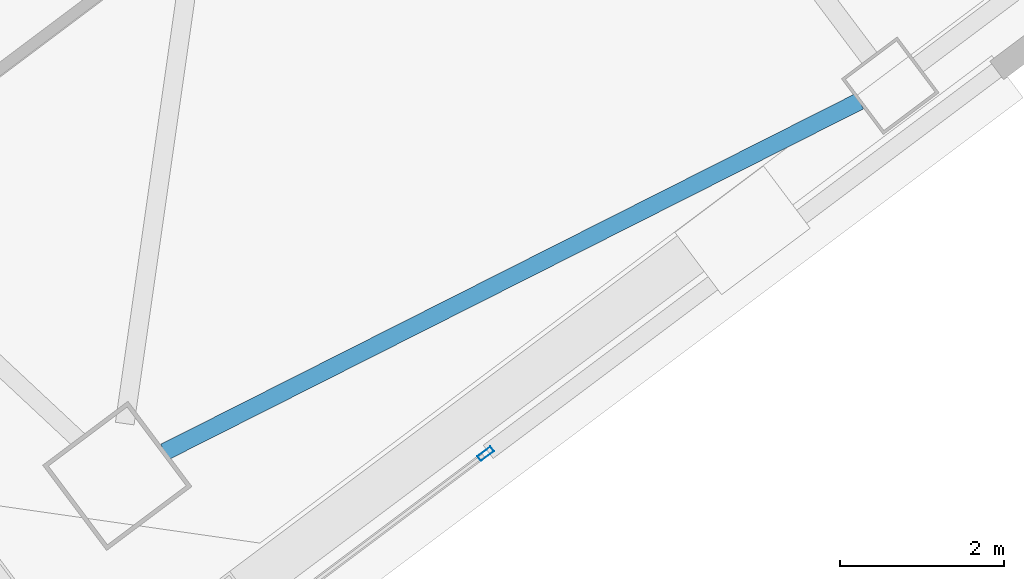
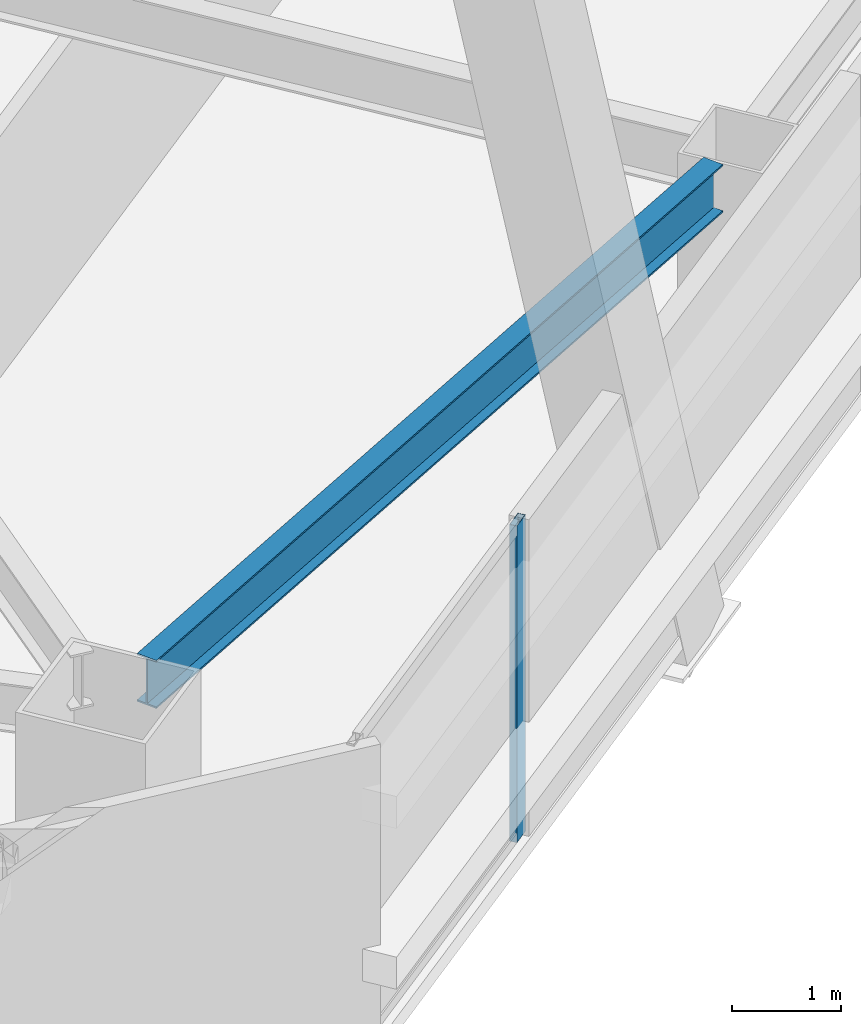
# One storey, part 28 of 54: 1 beam, 1 member, 1 element without a shape of its own.
"""IFC4 building model written with IfcOpenShell, lengths in metres."""

import ifcopenshell
import ifcopenshell.guid

model = None  # the IFC model being written
_history = None  # IfcOwnerHistory: only IFC2X3 demands one
_inside = {}  # id of a spatial element -> (the spatial element, [elements in it])
_under = {}  # id of a project, library or spatial element -> (it, [spatial elements below it])
_declared = {}  # id of a project -> (the project, [libraries it declares])
_typed = {}  # id of a type object -> (the type object, [elements of that type])
_made_of = {}  # id of a material, layer set ... -> (it, [elements and type objects made of it])


def new_model(schema):
    """Start an empty IFC model of exactly this schema.

    Asked for "IFC4X3", IfcOpenShell would pick the latest addendum, in which some entities
    have other attributes; the version numbers below select the first issue.
    IFC2X3 requires an IfcOwnerHistory on every rooted entity: one is made here for all.
    """
    global model, _history
    if schema == "IFC4X3":
        model = ifcopenshell.file(schema_version=(4, 3, 0, 0))
    else:
        model = ifcopenshell.file(schema=schema)
    _inside.clear()
    _under.clear()
    _declared.clear()
    _typed.clear()
    _made_of.clear()
    _history = None
    if model.schema == "IFC2X3":
        org = make("IfcOrganization", Name="unknown")
        user = make(
            "IfcPersonAndOrganization",
            ThePerson=make("IfcPerson", FamilyName="unknown"),
            TheOrganization=org,
        )
        app = make(
            "IfcApplication",
            ApplicationDeveloper=org,
            Version="unknown",
            ApplicationFullName="unknown",
            ApplicationIdentifier="unknown",
        )
        _history = make(
            "IfcOwnerHistory",
            OwningUser=user,
            OwningApplication=app,
            ChangeAction="ADDED",
            CreationDate=0,
        )
    return model


def make(cls, **values):
    """One entity of the class cls with the attributes given. An attribute that is None is left unset."""
    return model.create_entity(
        cls, **{name: value for name, value in values.items() if value is not None}
    )


def rooted(cls, **values):
    """An entity with a GlobalId (a new one), such as an element, a storey or a relation."""
    return make(cls, GlobalId=ifcopenshell.guid.new(), OwnerHistory=_history, **values)


def si_unit(unit_type, name, prefix=None):
    """IfcSIUnit, for example si_unit("LENGTHUNIT", "METRE", prefix="MILLI")."""
    return make("IfcSIUnit", UnitType=unit_type, Prefix=prefix, Name=name)


def assignment(units):
    """IfcUnitAssignment: the units of a project."""
    return None if units is None else make("IfcUnitAssignment", Units=units)


def point(xyz):
    """IfcCartesianPoint."""
    return None if xyz is None else make("IfcCartesianPoint", Coordinates=xyz)


def direction(xyz):
    """IfcDirection."""
    return None if xyz is None else make("IfcDirection", DirectionRatios=xyz)


def frame(location, z_axis=None, x_axis=None):
    """IfcAxis2Placement3D, a coordinate frame: its origin and axes. An axis left out is left unset."""
    return make(
        "IfcAxis2Placement3D",
        Location=point(location),
        Axis=direction(z_axis),
        RefDirection=direction(x_axis),
    )


def frame_2d(location, x_axis=None):
    """IfcAxis2Placement2D, a coordinate frame in the plane: its origin and x axis."""
    return make(
        "IfcAxis2Placement2D", Location=point(location), RefDirection=direction(x_axis)
    )


def origin():
    """The frame at (0, 0, 0) with its axes left unset."""
    return frame((0.0, 0.0, 0.0))


def origin_2d():
    """The frame at (0, 0) in the plane with its x axis left unset."""
    return frame_2d((0.0, 0.0))


def place(relative_to, where):
    """IfcLocalPlacement: puts the frame where relative to a parent placement (None: the world)."""
    return make(
        "IfcLocalPlacement", PlacementRelTo=relative_to, RelativePlacement=where
    )


def context(
    kind, dimensions, precision=None, world=None, true_north=None, identifier=None
):
    """IfcGeometricRepresentationContext, for example the 3D "Model" context."""
    return make(
        "IfcGeometricRepresentationContext",
        ContextIdentifier=identifier,
        ContextType=kind,
        CoordinateSpaceDimension=dimensions,
        Precision=precision,
        WorldCoordinateSystem=world,
        TrueNorth=true_north,
    )


def subcontext(parent, identifier, kind, view, scale=None):
    """IfcGeometricRepresentationSubContext, for example "Body" below "Model"."""
    return make(
        "IfcGeometricRepresentationSubContext",
        ContextIdentifier=identifier,
        ContextType=kind,
        ParentContext=parent,
        TargetScale=scale,
        TargetView=view,
    )


def project(units=None, contexts=None):
    """IfcProject with its units and contexts."""
    return rooted(
        "IfcProject",
        Name="project",
        RepresentationContexts=contexts,
        UnitsInContext=assignment(units),
    )


def spatial(cls, under=None, at=None, **own):
    """A site, building, storey or space (cls), placed at a placement, below another one or the project."""
    s = rooted(cls, ObjectPlacement=at, **own)
    if under is not None:
        _under.setdefault(under.id(), (under, []))[1].append(s)
    return s


def profile(cls, at=None, kind="AREA", **sizes):
    """A parametric profile (cls). Its sizes go by their IFC names, for example OverallWidth=200.0."""
    return make(cls, ProfileType=kind, Position=at, **sizes)


def hollow_rectangle(**sizes):
    """IfcRectangleHollowProfileDef."""
    return profile("IfcRectangleHollowProfileDef", **sizes)


def i_section(**sizes):
    """IfcIShapeProfileDef."""
    return profile("IfcIShapeProfileDef", **sizes)


def extrude(swept, where, along, depth):
    """IfcExtrudedAreaSolid: the profile swept, set in the frame where, extruded along a direction by depth."""
    return make(
        "IfcExtrudedAreaSolid",
        SweptArea=swept,
        Position=where,
        ExtrudedDirection=direction(along),
        Depth=depth,
    )


def shape(context_of_items, identifier, shape_type, items):
    """IfcShapeRepresentation: the items that make up one representation, for example the "Body"."""
    return make(
        "IfcShapeRepresentation",
        ContextOfItems=context_of_items,
        RepresentationIdentifier=identifier,
        RepresentationType=shape_type,
        Items=items,
    )


def material(Name=None, Category=None):
    """IfcMaterial."""
    return make("IfcMaterial", Name=Name, Category=Category)


def material_profile(
    of_material, cross_section, Name=None, Category=None, Priority=None
):
    """IfcMaterialProfile: a cross section and its material."""
    return make(
        "IfcMaterialProfile",
        Name=Name,
        Material=of_material,
        Profile=cross_section,
        Priority=Priority,
        Category=Category,
    )


def profile_set(profiles, Name=None, composite=None):
    """IfcMaterialProfileSet."""
    return make(
        "IfcMaterialProfileSet",
        Name=Name,
        MaterialProfiles=profiles,
        CompositeProfile=composite,
    )


def made_of(thing, what):
    """Note that an element or type object is made of a material, layer set ...; save() writes the relation."""
    if what is not None:
        _made_of.setdefault(what.id(), (what, []))[1].append(thing)
    return thing


def type_object(cls, material=None, **own):
    """A type object (cls), such as IfcWallType, which elements share."""
    return made_of(rooted(cls, **own), material)


def element(
    cls,
    number,
    at=None,
    inside=None,
    cuts=None,
    type_object=None,
    material=None,
    context=None,
    identifier="Body",
    shape_type=None,
    held_by="IfcProductDefinitionShape",
    body=None,
    shapes=None,
    **own,
):
    """One element of the class cls, such as IfcWall. Its Tag is "e" and its number.

    at: its placement. inside: the storey or other place that contains it. cuts: it is an
    opening in that element (IfcRelVoidsElement). A single representation is given by context,
    identifier, shape_type and body (its items); several are given by shapes. held_by: the class
    of the entity that holds the representations. save() writes the other relations.
    """
    e = rooted(cls, Tag="e%d" % number, ObjectPlacement=at, **own)
    if body is not None:
        shapes = [shape(context, identifier, shape_type, body)]
    if shapes is not None:
        e.Representation = make(held_by, Representations=shapes)
    if inside is not None:
        _inside.setdefault(inside.id(), (inside, []))[1].append(e)
    if cuts is not None:
        rooted(
            "IfcRelVoidsElement", RelatingBuildingElement=cuts, RelatedOpeningElement=e
        )
    if type_object is not None:
        _typed.setdefault(type_object.id(), (type_object, []))[1].append(e)
    return made_of(e, material)


def aggregate(whole, parts):
    """IfcRelAggregates: a whole, such as a stair, and the parts it consists of."""
    return rooted("IfcRelAggregates", RelatingObject=whole, RelatedObjects=parts)


def save(model, path):
    """Write the relations noted so far, then the file.

    IfcRelAggregates (storeys below a building ...), IfcRelContainedInSpatialStructure (elements
    in a storey), IfcRelDefinesByType, IfcRelAssociatesMaterial and IfcRelDeclares: one each for
    every whole, place, type object, material and project.
    """
    for whole, parts in _under.values():
        aggregate(whole, parts)
    for where, things in _inside.values():
        rooted(
            "IfcRelContainedInSpatialStructure",
            RelatedElements=things,
            RelatingStructure=where,
        )
    for kind, things in _typed.values():
        rooted("IfcRelDefinesByType", RelatedObjects=things, RelatingType=kind)
    for what, things in _made_of.values():
        rooted("IfcRelAssociatesMaterial", RelatedObjects=things, RelatingMaterial=what)
    for by, libraries in _declared.values():
        rooted("IfcRelDeclares", RelatingContext=by, RelatedDefinitions=libraries)
    model.write(path)


model = new_model("IFC4")

# Units and contexts
model_context = context("Model", 3, precision=1e-05, world=origin(), true_north=direction((0.0, 1.0)))
body_context = subcontext(model_context, "Body", "Model", "MODEL_VIEW")
ifc_project = project(units=[si_unit("LENGTHUNIT", "METRE"), si_unit("AREAUNIT", "SQUARE_METRE"), si_unit("VOLUMEUNIT", "CUBIC_METRE"), si_unit("PLANEANGLEUNIT", "RADIAN"), si_unit("MASSUNIT", "GRAM", prefix="KILO")], contexts=[model_context])

# Site, building, storey
site_placement = place(None, origin())
site = spatial("IfcSite", under=ifc_project, at=site_placement, CompositionType="ELEMENT")
building_placement = place(site_placement, origin())
building = spatial("IfcBuilding", under=site, at=building_placement, Name="Tashvorn Skyway Center", CompositionType="ELEMENT")
storey_placement = place(building_placement, frame((0.0, 0.0, 135.699951171875)))
storey = spatial("IfcBuildingStorey", under=building, at=storey_placement, Name="L36", CompositionType="ELEMENT", Elevation=135.699951171875)

# Beam
ifc_material_1 = material(Name="Steel ASTM A992 Grade 50", Category="steel")
ifc_material_profile_1 = material_profile(ifc_material_1, i_section(OverallWidth=0.2109375, OverallDepth=0.5390625, WebThickness=0.01171875, FlangeThickness=0.018798828125, at=origin_2d()), Name="W21X73")
ifc_profile_set_1 = profile_set([ifc_material_profile_1], Name="Steel ASTM A992 Grade 50")
beam_type = type_object("IfcBeamType", Name="BM-SPANDREL-W21X73", PredefinedType="SPANDREL", material=ifc_profile_set_1)
beam_placement = place(storey_placement, frame((111.415771484375, 10.170654296875, 3.1005859375), z_axis=(0.892719124217, 0.450613543136, 0.0), x_axis=(-0.450613543136, 0.892719124217, 0.0)))
element("IfcBeam", 1, at=beam_placement, inside=storey, type_object=beam_type, Name="Tower 2 L36 Spandrel Beam 01", PredefinedType="SPANDREL", context=body_context, shape_type="SweptSolid", body=[
    extrude(i_section(OverallWidth=0.2109375, OverallDepth=0.5390625, WebThickness=0.01171875, FlangeThickness=0.018798828125, at=origin_2d()), origin(), (0.0, 0.0, 1.0), 9.498291015625),
])

# Curtain wall, member
ifc_material_2 = material(Name="Thermally broken bronze-anodized aluminium 6063-T6", Category="aluminium")
curtain_wall_type = type_object("IfcCurtainWallType", Name="CW-CW-Z3", PredefinedType="NOTDEFINED", material=ifc_material_2)
curtain_wall_placement = place(storey_placement, origin())
curtain_wall = element("IfcCurtainWall", 2, at=curtain_wall_placement, inside=storey, type_object=curtain_wall_type, Name="Tower 2 L36 South Curtain Wall R Glazing Group 1", PredefinedType="NOTDEFINED")
ifc_material_profile_2 = material_profile(ifc_material_2, hollow_rectangle(XDim=0.074951171875, YDim=0.199951171875, WallThickness=0.00439453125, at=origin_2d()), Name="ALU-MULL-75x200")
ifc_profile_set_2 = profile_set([ifc_material_profile_2], Name="Thermally broken bronze-anodized aluminium 6063-T6")
member_type = type_object("IfcMemberType", Name="CWM-CW-Z3", PredefinedType="MULLION", material=ifc_profile_set_2)
member_placement = place(storey_placement, frame((115.335205078125, 10.151611328125, 0.0), z_axis=(0.0, 0.0, 1.0), x_axis=(0.600004127279, -0.799996904524, 0.0)))
member = element("IfcMember", 3, at=member_placement, type_object=member_type, Name="CW-Z3 mullion 1", PredefinedType="MULLION", context=body_context, shape_type="SweptSolid", body=[
    extrude(hollow_rectangle(XDim=0.074951171875, YDim=0.199951171875, WallThickness=0.00439453125, at=origin_2d()), origin(), (0.0, 0.0, 1.0), 3.550048828125),
])
aggregate(curtain_wall, [member])

save(model, "model.ifc")
